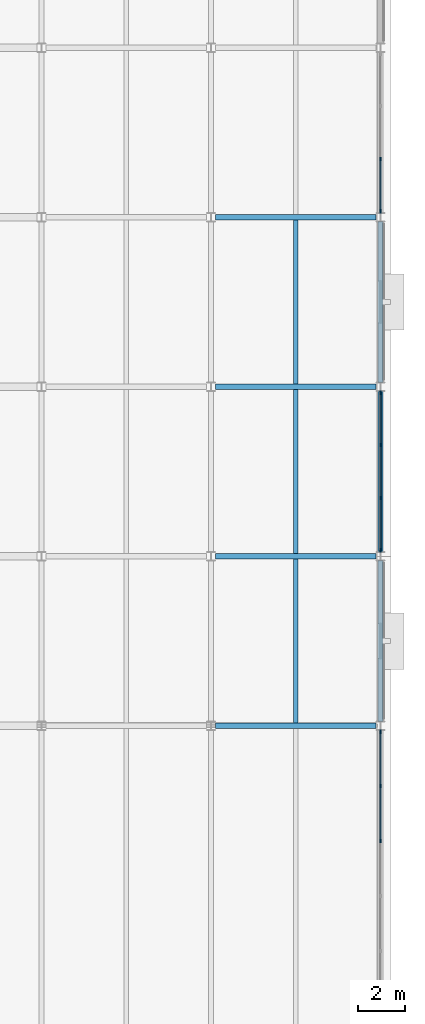
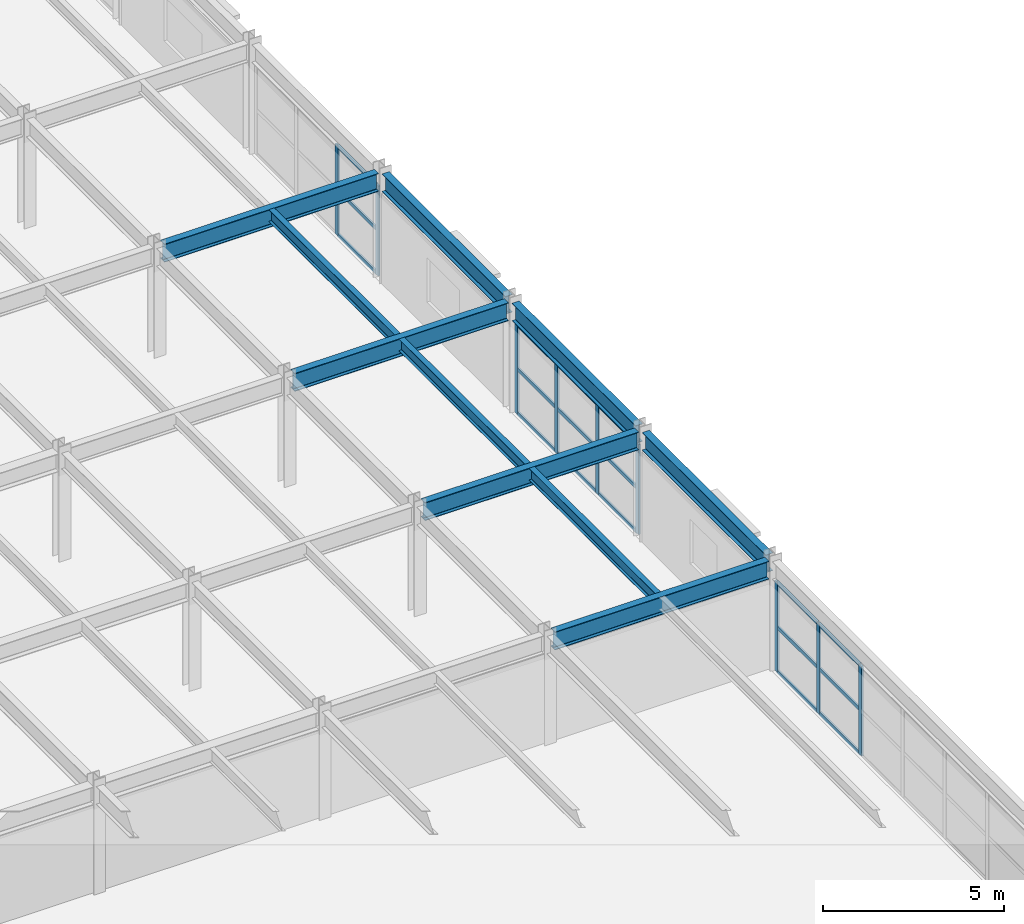
# One storey, part 48 of 93: 27 members, 10 beams, 3 elements without a shape of their own.
"""IFC4 building model written with IfcOpenShell, lengths in metres."""

import ifcopenshell
import ifcopenshell.guid

model = None  # the IFC model being written
_history = None  # IfcOwnerHistory: only IFC2X3 demands one
_inside = {}  # id of a spatial element -> (the spatial element, [elements in it])
_under = {}  # id of a project, library or spatial element -> (it, [spatial elements below it])
_declared = {}  # id of a project -> (the project, [libraries it declares])
_typed = {}  # id of a type object -> (the type object, [elements of that type])
_made_of = {}  # id of a material, layer set ... -> (it, [elements and type objects made of it])


def new_model(schema):
    """Start an empty IFC model of exactly this schema.

    Asked for "IFC4X3", IfcOpenShell would pick the latest addendum, in which some entities
    have other attributes; the version numbers below select the first issue.
    IFC2X3 requires an IfcOwnerHistory on every rooted entity: one is made here for all.
    """
    global model, _history
    if schema == "IFC4X3":
        model = ifcopenshell.file(schema_version=(4, 3, 0, 0))
    else:
        model = ifcopenshell.file(schema=schema)
    _inside.clear()
    _under.clear()
    _declared.clear()
    _typed.clear()
    _made_of.clear()
    _history = None
    if model.schema == "IFC2X3":
        org = make("IfcOrganization", Name="unknown")
        user = make(
            "IfcPersonAndOrganization",
            ThePerson=make("IfcPerson", FamilyName="unknown"),
            TheOrganization=org,
        )
        app = make(
            "IfcApplication",
            ApplicationDeveloper=org,
            Version="unknown",
            ApplicationFullName="unknown",
            ApplicationIdentifier="unknown",
        )
        _history = make(
            "IfcOwnerHistory",
            OwningUser=user,
            OwningApplication=app,
            ChangeAction="ADDED",
            CreationDate=0,
        )
    return model


def make(cls, **values):
    """One entity of the class cls with the attributes given. An attribute that is None is left unset."""
    return model.create_entity(
        cls, **{name: value for name, value in values.items() if value is not None}
    )


def rooted(cls, **values):
    """An entity with a GlobalId (a new one), such as an element, a storey or a relation."""
    return make(cls, GlobalId=ifcopenshell.guid.new(), OwnerHistory=_history, **values)


def si_unit(unit_type, name, prefix=None):
    """IfcSIUnit, for example si_unit("LENGTHUNIT", "METRE", prefix="MILLI")."""
    return make("IfcSIUnit", UnitType=unit_type, Prefix=prefix, Name=name)


def assignment(units):
    """IfcUnitAssignment: the units of a project."""
    return None if units is None else make("IfcUnitAssignment", Units=units)


def point(xyz):
    """IfcCartesianPoint."""
    return None if xyz is None else make("IfcCartesianPoint", Coordinates=xyz)


def direction(xyz):
    """IfcDirection."""
    return None if xyz is None else make("IfcDirection", DirectionRatios=xyz)


def frame(location, z_axis=None, x_axis=None):
    """IfcAxis2Placement3D, a coordinate frame: its origin and axes. An axis left out is left unset."""
    return make(
        "IfcAxis2Placement3D",
        Location=point(location),
        Axis=direction(z_axis),
        RefDirection=direction(x_axis),
    )


def frame_2d(location, x_axis=None):
    """IfcAxis2Placement2D, a coordinate frame in the plane: its origin and x axis."""
    return make(
        "IfcAxis2Placement2D", Location=point(location), RefDirection=direction(x_axis)
    )


def origin():
    """The frame at (0, 0, 0) with its axes left unset."""
    return frame((0.0, 0.0, 0.0))


def origin_2d():
    """The frame at (0, 0) in the plane with its x axis left unset."""
    return frame_2d((0.0, 0.0))


def place(relative_to, where):
    """IfcLocalPlacement: puts the frame where relative to a parent placement (None: the world)."""
    return make(
        "IfcLocalPlacement", PlacementRelTo=relative_to, RelativePlacement=where
    )


def context(
    kind, dimensions, precision=None, world=None, true_north=None, identifier=None
):
    """IfcGeometricRepresentationContext, for example the 3D "Model" context."""
    return make(
        "IfcGeometricRepresentationContext",
        ContextIdentifier=identifier,
        ContextType=kind,
        CoordinateSpaceDimension=dimensions,
        Precision=precision,
        WorldCoordinateSystem=world,
        TrueNorth=true_north,
    )


def subcontext(parent, identifier, kind, view, scale=None):
    """IfcGeometricRepresentationSubContext, for example "Body" below "Model"."""
    return make(
        "IfcGeometricRepresentationSubContext",
        ContextIdentifier=identifier,
        ContextType=kind,
        ParentContext=parent,
        TargetScale=scale,
        TargetView=view,
    )


def project(units=None, contexts=None):
    """IfcProject with its units and contexts."""
    return rooted(
        "IfcProject",
        Name="project",
        RepresentationContexts=contexts,
        UnitsInContext=assignment(units),
    )


def spatial(cls, under=None, at=None, **own):
    """A site, building, storey or space (cls), placed at a placement, below another one or the project."""
    s = rooted(cls, ObjectPlacement=at, **own)
    if under is not None:
        _under.setdefault(under.id(), (under, []))[1].append(s)
    return s


def profile(cls, at=None, kind="AREA", **sizes):
    """A parametric profile (cls). Its sizes go by their IFC names, for example OverallWidth=200.0."""
    return make(cls, ProfileType=kind, Position=at, **sizes)


def rectangle(**sizes):
    """IfcRectangleProfileDef."""
    return profile("IfcRectangleProfileDef", **sizes)


def i_section(**sizes):
    """IfcIShapeProfileDef."""
    return profile("IfcIShapeProfileDef", **sizes)


def extrude(swept, where, along, depth):
    """IfcExtrudedAreaSolid: the profile swept, set in the frame where, extruded along a direction by depth."""
    return make(
        "IfcExtrudedAreaSolid",
        SweptArea=swept,
        Position=where,
        ExtrudedDirection=direction(along),
        Depth=depth,
    )


def shape(context_of_items, identifier, shape_type, items):
    """IfcShapeRepresentation: the items that make up one representation, for example the "Body"."""
    return make(
        "IfcShapeRepresentation",
        ContextOfItems=context_of_items,
        RepresentationIdentifier=identifier,
        RepresentationType=shape_type,
        Items=items,
    )


def material(Name=None, Category=None):
    """IfcMaterial."""
    return make("IfcMaterial", Name=Name, Category=Category)


def material_profile(
    of_material, cross_section, Name=None, Category=None, Priority=None
):
    """IfcMaterialProfile: a cross section and its material."""
    return make(
        "IfcMaterialProfile",
        Name=Name,
        Material=of_material,
        Profile=cross_section,
        Priority=Priority,
        Category=Category,
    )


def profile_set(profiles, Name=None, composite=None):
    """IfcMaterialProfileSet."""
    return make(
        "IfcMaterialProfileSet",
        Name=Name,
        MaterialProfiles=profiles,
        CompositeProfile=composite,
    )


def made_of(thing, what):
    """Note that an element or type object is made of a material, layer set ...; save() writes the relation."""
    if what is not None:
        _made_of.setdefault(what.id(), (what, []))[1].append(thing)
    return thing


def type_object(cls, material=None, **own):
    """A type object (cls), such as IfcWallType, which elements share."""
    return made_of(rooted(cls, **own), material)


def element(
    cls,
    number,
    at=None,
    inside=None,
    cuts=None,
    type_object=None,
    material=None,
    context=None,
    identifier="Body",
    shape_type=None,
    held_by="IfcProductDefinitionShape",
    body=None,
    shapes=None,
    **own,
):
    """One element of the class cls, such as IfcWall. Its Tag is "e" and its number.

    at: its placement. inside: the storey or other place that contains it. cuts: it is an
    opening in that element (IfcRelVoidsElement). A single representation is given by context,
    identifier, shape_type and body (its items); several are given by shapes. held_by: the class
    of the entity that holds the representations. save() writes the other relations.
    """
    e = rooted(cls, Tag="e%d" % number, ObjectPlacement=at, **own)
    if body is not None:
        shapes = [shape(context, identifier, shape_type, body)]
    if shapes is not None:
        e.Representation = make(held_by, Representations=shapes)
    if inside is not None:
        _inside.setdefault(inside.id(), (inside, []))[1].append(e)
    if cuts is not None:
        rooted(
            "IfcRelVoidsElement", RelatingBuildingElement=cuts, RelatedOpeningElement=e
        )
    if type_object is not None:
        _typed.setdefault(type_object.id(), (type_object, []))[1].append(e)
    return made_of(e, material)


def aggregate(whole, parts):
    """IfcRelAggregates: a whole, such as a stair, and the parts it consists of."""
    return rooted("IfcRelAggregates", RelatingObject=whole, RelatedObjects=parts)


def save(model, path):
    """Write the relations noted so far, then the file.

    IfcRelAggregates (storeys below a building ...), IfcRelContainedInSpatialStructure (elements
    in a storey), IfcRelDefinesByType, IfcRelAssociatesMaterial and IfcRelDeclares: one each for
    every whole, place, type object, material and project.
    """
    for whole, parts in _under.values():
        aggregate(whole, parts)
    for where, things in _inside.values():
        rooted(
            "IfcRelContainedInSpatialStructure",
            RelatedElements=things,
            RelatingStructure=where,
        )
    for kind, things in _typed.values():
        rooted("IfcRelDefinesByType", RelatedObjects=things, RelatingType=kind)
    for what, things in _made_of.values():
        rooted("IfcRelAssociatesMaterial", RelatedObjects=things, RelatingMaterial=what)
    for by, libraries in _declared.values():
        rooted("IfcRelDeclares", RelatingContext=by, RelatedDefinitions=libraries)
    model.write(path)


model = new_model("IFC4")

# Units and contexts
model_context = context("Model", 3, precision=1e-05, world=origin(), true_north=direction((0.0, 1.0)))
body_context = subcontext(model_context, "Body", "Model", "MODEL_VIEW")
ifc_project = project(units=[si_unit("LENGTHUNIT", "METRE"), si_unit("AREAUNIT", "SQUARE_METRE"), si_unit("VOLUMEUNIT", "CUBIC_METRE"), si_unit("PLANEANGLEUNIT", "RADIAN"), si_unit("MASSUNIT", "GRAM", prefix="KILO")], contexts=[model_context])

# Site, building, storey
site_placement = place(None, origin())
site = spatial("IfcSite", under=ifc_project, at=site_placement, CompositionType="ELEMENT")
building_placement = place(site_placement, origin())
building = spatial("IfcBuilding", under=site, at=building_placement, Name="Vaelcorin Mobility Hub", CompositionType="ELEMENT")
storey_placement = place(building_placement, frame((0.0, 0.0, 5.39990234375)))
storey = spatial("IfcBuildingStorey", under=building, at=storey_placement, Name="L01", CompositionType="ELEMENT", Elevation=5.39990234375)

# Beams
ifc_material_1 = material(Name="Steel ASTM A992 Grade 50", Category="steel")
ifc_material_profile_1 = material_profile(ifc_material_1, i_section(OverallWidth=0.177978515625, OverallDepth=0.404052734375, WebThickness=0.007568359375, FlangeThickness=0.010986328125, FilletRadius=0.012939453125, at=origin_2d()), Name="W16X36")
ifc_profile_set_1 = profile_set([ifc_material_profile_1], Name="Steel ASTM A992 Grade 50")
beam_type_1 = type_object("IfcBeamType", Name="BM-W16X36", PredefinedType="JOIST", material=ifc_profile_set_1)
for number, where, z_axis, x_axis, name in (
    (1, (200.39990234375, 76.912109375, 3.498046875), (0.0, 1.0, 0.0), (-1.0, 0.0, 0.0), "L01 Beam V5E-L01-J-02-09-1"),
    (2, (200.39990234375, 84.112060546875, 3.498046875), (0.0, 1.0, 0.0), (-1.0, 0.0, 0.0), "L01 Beam V5E-L01-J-02-10-1"),
):
    element("IfcBeam", number, at=place(storey_placement, frame(where, z_axis=z_axis, x_axis=x_axis)), inside=storey, type_object=beam_type_1, Name=name, PredefinedType="JOIST", context=body_context, shape_type="SweptSolid", body=[
        extrude(i_section(OverallWidth=0.177978515625, OverallDepth=0.404052734375, WebThickness=0.007568359375, FlangeThickness=0.010986328125, FilletRadius=0.012939453125, at=origin_2d()), origin(), (0.0, 0.0, 1.0), 6.975830078125),
    ])
beam_placement = place(storey_placement, frame((200.39990234375, 91.31201171875, 3.498046875), z_axis=(0.0, 1.0, 0.0), x_axis=(-1.0, 0.0, 0.0)))
element("IfcBeam", 3, at=beam_placement, inside=storey, type_object=beam_type_1, Name="L01 Beam V5E-L01-J-02-11-1", PredefinedType="JOIST", context=body_context, shape_type="SweptSolid", body=[
    extrude(i_section(OverallWidth=0.177978515625, OverallDepth=0.404052734375, WebThickness=0.007568359375, FlangeThickness=0.010986328125, FilletRadius=0.012939453125, at=origin_2d()), origin(), (0.0, 0.0, 1.0), 6.97607421875),
])
ifc_material_profile_2 = material_profile(ifc_material_1, i_section(OverallWidth=0.22802734375, OverallDepth=0.60205078125, WebThickness=0.010498046875, FlangeThickness=0.014892578125, FilletRadius=0.014892578125, at=origin_2d()), Name="W24X68")
ifc_profile_set_2 = profile_set([ifc_material_profile_2], Name="Steel ASTM A992 Grade 50")
beam_type_2 = type_object("IfcBeamType", Name="BM-W24X68", PredefinedType="SPANDREL", material=ifc_profile_set_2)
for number, where, z_axis, x_axis, name in (
    (4, (204.0, 76.98388671875, 3.399169921875), (0.0, 1.0, 0.0), (-1.0, 0.0, 0.0), "L01 Beam V5E-L01-GY-03-09"),
    (5, (204.0, 84.18408203125, 3.399169921875), (0.0, 1.0, 0.0), (-1.0, 0.0, 0.0), "L01 Beam V5E-L01-GY-03-10"),
    (6, (204.0, 91.384033203125, 3.399169921875), (0.0, 1.0, 0.0), (-1.0, 0.0, 0.0), "L01 Beam V5E-L01-GY-03-11"),
):
    element("IfcBeam", number, at=place(storey_placement, frame(where, z_axis=z_axis, x_axis=x_axis)), inside=storey, type_object=beam_type_2, Name=name, PredefinedType="SPANDREL", context=body_context, shape_type="SweptSolid", body=[
        extrude(i_section(OverallWidth=0.22802734375, OverallDepth=0.60205078125, WebThickness=0.010498046875, FlangeThickness=0.014892578125, FilletRadius=0.014892578125, at=origin_2d()), origin(), (0.0, 0.0, 1.0), 6.83203125),
    ])
ifc_material_profile_3 = material_profile(ifc_material_1, i_section(OverallWidth=0.22900390625, OverallDepth=0.612060546875, WebThickness=0.011962890625, FlangeThickness=0.01953125, FilletRadius=0.014892578125, at=origin_2d()), Name="W24X84")
ifc_profile_set_3 = profile_set([ifc_material_profile_3], Name="Steel ASTM A992 Grade 50")
beam_type_3 = type_object("IfcBeamType", Name="BM-W24X84", PredefinedType="BEAM", material=ifc_profile_set_3)
for number, where, z_axis, x_axis, name in (
    (7, (196.985107421875, 76.800048828125, 3.39404296875), (1.0, 0.0, 0.0), (0.0, 1.0, 0.0), "L01 Beam V5E-L01-GX-09-02"),
    (8, (196.985107421875, 84.0, 3.39404296875), (1.0, 0.0, 0.0), (0.0, 1.0, 0.0), "L01 Beam V5E-L01-GX-10-02"),
    (9, (196.985107421875, 91.199951171875, 3.39404296875), (1.0, 0.0, 0.0), (0.0, 1.0, 0.0), "L01 Beam V5E-L01-GX-11-02"),
    (10, (196.985107421875, 98.39990234375, 3.39404296875), (1.0, 0.0, 0.0), (0.0, 1.0, 0.0), "L01 Beam V5E-L01-GX-12-02"),
):
    element("IfcBeam", number, at=place(storey_placement, frame(where, z_axis=z_axis, x_axis=x_axis)), inside=storey, type_object=beam_type_3, Name=name, PredefinedType="BEAM", context=body_context, shape_type="SweptSolid", body=[
        extrude(i_section(OverallWidth=0.22900390625, OverallDepth=0.612060546875, WebThickness=0.011962890625, FlangeThickness=0.01953125, FilletRadius=0.014892578125, at=origin_2d()), origin(), (0.0, 0.0, 1.0), 6.830810546875),
    ])

# Curtain wall, members
ifc_material_2 = material(Name="Anodised aluminium 6063-T6", Category="aluminium")
curtain_wall_type = type_object("IfcCurtainWallType", Name="CW-MOB-A", PredefinedType="NOTDEFINED", material=ifc_material_2)
curtain_wall_1_placement = place(storey_placement, origin())
curtain_wall_1 = element("IfcCurtainWall", 11, at=curtain_wall_1_placement, inside=storey, type_object=curtain_wall_type, Name="L01 Curtain Wall CW-V5-L01-E-08", PredefinedType="NOTDEFINED")
ifc_material_profile_4 = material_profile(ifc_material_2, rectangle(XDim=0.06005859375, YDim=0.159912109375, at=origin_2d()), Name="ALU-M60X160")
ifc_profile_set_4 = profile_set([ifc_material_profile_4], Name="Anodised aluminium 6063-T6")
member_type_1 = type_object("IfcMemberType", Name="CW-MULL-160", PredefinedType="MULLION", material=ifc_profile_set_4)
member_1_placement = place(storey_placement, frame((204.0, 76.550048828125, 0.0), z_axis=(0.0, 0.0, 1.0), x_axis=(1.0, 0.0, 0.0)))
member_1 = element("IfcMember", 12, at=member_1_placement, type_object=member_type_1, Name="CW7 mullion 1", PredefinedType="MULLION", context=body_context, shape_type="SweptSolid", body=[
    extrude(rectangle(XDim=0.06005859375, YDim=0.159912109375, at=origin_2d()), origin(), (0.0, 0.0, 1.0), 3.043212890625),
])
member_2_placement = place(storey_placement, frame((204.0, 74.242919921875, 0.0), z_axis=(0.0, 0.0, 1.0), x_axis=(1.0, 0.0, 0.0)))
member_2 = element("IfcMember", 13, at=member_2_placement, type_object=member_type_1, Name="CW7 mullion 2", PredefinedType="MULLION", context=body_context, shape_type="SweptSolid", body=[
    extrude(rectangle(XDim=0.06005859375, YDim=0.159912109375, at=origin_2d()), origin(), (0.0, 0.0, 1.0), 3.043212890625),
])
member_3_placement = place(storey_placement, frame((204.0, 71.90576171875, 0.0), z_axis=(0.0, 0.0, 1.0), x_axis=(1.0, 0.0, 0.0)))
member_3 = element("IfcMember", 14, at=member_3_placement, type_object=member_type_1, Name="CW7 mullion 3", PredefinedType="MULLION", context=body_context, shape_type="SweptSolid", body=[
    extrude(rectangle(XDim=0.06005859375, YDim=0.159912109375, at=origin_2d()), origin(), (0.0, 0.0, 1.0), 3.043212890625),
])

curtain_wall_2_placement = place(storey_placement, origin())
curtain_wall_2 = element("IfcCurtainWall", 15, at=curtain_wall_2_placement, inside=storey, type_object=curtain_wall_type, Name="L01 Curtain Wall CW-V5-L01-E-10", PredefinedType="NOTDEFINED")
member_4_placement = place(storey_placement, frame((204.0, 90.949951171875, 0.0), z_axis=(0.0, 0.0, 1.0), x_axis=(1.0, 0.0, 0.0)))
member_4 = element("IfcMember", 16, at=member_4_placement, type_object=member_type_1, Name="CW7 mullion 1", PredefinedType="MULLION", context=body_context, shape_type="SweptSolid", body=[
    extrude(rectangle(XDim=0.06005859375, YDim=0.159912109375, at=origin_2d()), origin(), (0.0, 0.0, 1.0), 3.043212890625),
])
member_5_placement = place(storey_placement, frame((204.0, 88.7265625, 0.0), z_axis=(0.0, 0.0, 1.0), x_axis=(1.0, 0.0, 0.0)))
member_5 = element("IfcMember", 17, at=member_5_placement, type_object=member_type_1, Name="CW7 mullion 2", PredefinedType="MULLION", context=body_context, shape_type="SweptSolid", body=[
    extrude(rectangle(XDim=0.06005859375, YDim=0.159912109375, at=origin_2d()), origin(), (0.0, 0.0, 1.0), 3.043212890625),
])
member_6_placement = place(storey_placement, frame((204.0, 86.473388671875, 0.0), z_axis=(0.0, 0.0, 1.0), x_axis=(1.0, 0.0, 0.0)))
member_6 = element("IfcMember", 18, at=member_6_placement, type_object=member_type_1, Name="CW7 mullion 3", PredefinedType="MULLION", context=body_context, shape_type="SweptSolid", body=[
    extrude(rectangle(XDim=0.06005859375, YDim=0.159912109375, at=origin_2d()), origin(), (0.0, 0.0, 1.0), 3.043212890625),
])
member_7_placement = place(storey_placement, frame((204.0, 84.25, 0.0), z_axis=(0.0, 0.0, 1.0), x_axis=(1.0, 0.0, 0.0)))
member_7 = element("IfcMember", 19, at=member_7_placement, type_object=member_type_1, Name="CW7 mullion 4", PredefinedType="MULLION", context=body_context, shape_type="SweptSolid", body=[
    extrude(rectangle(XDim=0.06005859375, YDim=0.159912109375, at=origin_2d()), origin(), (0.0, 0.0, 1.0), 3.043212890625),
])

curtain_wall_3_placement = place(storey_placement, origin())
curtain_wall_3 = element("IfcCurtainWall", 20, at=curtain_wall_3_placement, inside=storey, type_object=curtain_wall_type, Name="L01 Curtain Wall CW-V5-L01-E-12", PredefinedType="NOTDEFINED")
member_8_placement = place(storey_placement, frame((204.0, 100.873291015625, 0.0), z_axis=(0.0, 0.0, 1.0), x_axis=(1.0, 0.0, 0.0)))
member_8 = element("IfcMember", 21, at=member_8_placement, type_object=member_type_1, Name="CW7 mullion 3", PredefinedType="MULLION", context=body_context, shape_type="SweptSolid", body=[
    extrude(rectangle(XDim=0.06005859375, YDim=0.159912109375, at=origin_2d()), origin(), (0.0, 0.0, 1.0), 3.043212890625),
])
member_9_placement = place(storey_placement, frame((204.0, 98.64990234375, 0.0), z_axis=(0.0, 0.0, 1.0), x_axis=(1.0, 0.0, 0.0)))
member_9 = element("IfcMember", 22, at=member_9_placement, type_object=member_type_1, Name="CW7 mullion 4", PredefinedType="MULLION", context=body_context, shape_type="SweptSolid", body=[
    extrude(rectangle(XDim=0.06005859375, YDim=0.159912109375, at=origin_2d()), origin(), (0.0, 0.0, 1.0), 3.043212890625),
])

# Member
ifc_material_profile_5 = material_profile(ifc_material_2, rectangle(XDim=0.06005859375, YDim=0.1201171875, at=origin_2d()), Name="ALU-T60X120")
ifc_profile_set_5 = profile_set([ifc_material_profile_5], Name="Anodised aluminium 6063-T6")
member_type_2 = type_object("IfcMemberType", Name="CW-TRAN-140", PredefinedType="USERDEFINED", material=ifc_profile_set_5)
member_10_placement = place(storey_placement, frame((204.0, 76.52001953125, 0.030029296875), z_axis=(0.0, -1.0, 0.0), x_axis=(1.0, 0.0, 0.0)))
member_10 = element("IfcMember", 23, at=member_10_placement, type_object=member_type_2, Name="CW7 transom 1.1", ObjectType="TRANSOM", PredefinedType="USERDEFINED", context=body_context, shape_type="SweptSolid", body=[
    extrude(rectangle(XDim=0.06005859375, YDim=0.1201171875, at=origin_2d()), origin(), (0.0, 0.0, 1.0), 2.2470703125),
])

member_11_placement = place(storey_placement, frame((204.0, 76.52001953125, 1.522216796875), z_axis=(0.0, -1.0, 0.0), x_axis=(1.0, 0.0, 0.0)))
member_11 = element("IfcMember", 24, at=member_11_placement, type_object=member_type_2, Name="CW7 transom 1.2", ObjectType="TRANSOM", PredefinedType="USERDEFINED", context=body_context, shape_type="SweptSolid", body=[
    extrude(rectangle(XDim=0.06005859375, YDim=0.1201171875, at=origin_2d()), origin(), (0.0, 0.0, 1.0), 2.2470703125),
])

member_12_placement = place(storey_placement, frame((204.0, 76.52001953125, 3.01318359375), z_axis=(0.0, -1.0, 0.0), x_axis=(1.0, 0.0, 0.0)))
member_12 = element("IfcMember", 25, at=member_12_placement, type_object=member_type_2, Name="CW7 transom 1.3", ObjectType="TRANSOM", PredefinedType="USERDEFINED", context=body_context, shape_type="SweptSolid", body=[
    extrude(rectangle(XDim=0.06005859375, YDim=0.1201171875, at=origin_2d()), origin(), (0.0, 0.0, 1.0), 2.2470703125),
])

member_13_placement = place(storey_placement, frame((204.0, 74.212890625, 0.030029296875), z_axis=(0.0, -1.0, 0.0), x_axis=(1.0, 0.0, 0.0)))
member_13 = element("IfcMember", 26, at=member_13_placement, type_object=member_type_2, Name="CW7 transom 2.1", ObjectType="TRANSOM", PredefinedType="USERDEFINED", context=body_context, shape_type="SweptSolid", body=[
    extrude(rectangle(XDim=0.06005859375, YDim=0.1201171875, at=origin_2d()), origin(), (0.0, 0.0, 1.0), 2.277099609375),
])

member_14_placement = place(storey_placement, frame((204.0, 74.212890625, 1.522216796875), z_axis=(0.0, -1.0, 0.0), x_axis=(1.0, 0.0, 0.0)))
member_14 = element("IfcMember", 27, at=member_14_placement, type_object=member_type_2, Name="CW7 transom 2.2", ObjectType="TRANSOM", PredefinedType="USERDEFINED", context=body_context, shape_type="SweptSolid", body=[
    extrude(rectangle(XDim=0.06005859375, YDim=0.1201171875, at=origin_2d()), origin(), (0.0, 0.0, 1.0), 2.277099609375),
])

member_15_placement = place(storey_placement, frame((204.0, 74.212890625, 3.01318359375), z_axis=(0.0, -1.0, 0.0), x_axis=(1.0, 0.0, 0.0)))
member_15 = element("IfcMember", 28, at=member_15_placement, type_object=member_type_2, Name="CW7 transom 2.3", ObjectType="TRANSOM", PredefinedType="USERDEFINED", context=body_context, shape_type="SweptSolid", body=[
    extrude(rectangle(XDim=0.06005859375, YDim=0.1201171875, at=origin_2d()), origin(), (0.0, 0.0, 1.0), 2.277099609375),
])

aggregate(curtain_wall_1, [member_1, member_2, member_3, member_10, member_11, member_12, member_13, member_14, member_15])

member_16_placement = place(storey_placement, frame((204.0, 90.919921875, 0.030029296875), z_axis=(0.0, -1.0, 0.0), x_axis=(1.0, 0.0, 0.0)))
member_16 = element("IfcMember", 29, at=member_16_placement, type_object=member_type_2, Name="CW7 transom 1.1", ObjectType="TRANSOM", PredefinedType="USERDEFINED", context=body_context, shape_type="SweptSolid", body=[
    extrude(rectangle(XDim=0.06005859375, YDim=0.1201171875, at=origin_2d()), origin(), (0.0, 0.0, 1.0), 2.163330078125),
])

member_17_placement = place(storey_placement, frame((204.0, 90.919921875, 1.522216796875), z_axis=(0.0, -1.0, 0.0), x_axis=(1.0, 0.0, 0.0)))
member_17 = element("IfcMember", 30, at=member_17_placement, type_object=member_type_2, Name="CW7 transom 1.2", ObjectType="TRANSOM", PredefinedType="USERDEFINED", context=body_context, shape_type="SweptSolid", body=[
    extrude(rectangle(XDim=0.06005859375, YDim=0.1201171875, at=origin_2d()), origin(), (0.0, 0.0, 1.0), 2.163330078125),
])

member_18_placement = place(storey_placement, frame((204.0, 90.919921875, 3.01318359375), z_axis=(0.0, -1.0, 0.0), x_axis=(1.0, 0.0, 0.0)))
member_18 = element("IfcMember", 31, at=member_18_placement, type_object=member_type_2, Name="CW7 transom 1.3", ObjectType="TRANSOM", PredefinedType="USERDEFINED", context=body_context, shape_type="SweptSolid", body=[
    extrude(rectangle(XDim=0.06005859375, YDim=0.1201171875, at=origin_2d()), origin(), (0.0, 0.0, 1.0), 2.163330078125),
])

member_19_placement = place(storey_placement, frame((204.0, 88.69677734375, 0.030029296875), z_axis=(0.0, -1.0, 0.0), x_axis=(1.0, 0.0, 0.0)))
member_19 = element("IfcMember", 32, at=member_19_placement, type_object=member_type_2, Name="CW7 transom 2.1", ObjectType="TRANSOM", PredefinedType="USERDEFINED", context=body_context, shape_type="SweptSolid", body=[
    extrude(rectangle(XDim=0.06005859375, YDim=0.1201171875, at=origin_2d()), origin(), (0.0, 0.0, 1.0), 2.193359375),
])

member_20_placement = place(storey_placement, frame((204.0, 88.69677734375, 1.522216796875), z_axis=(0.0, -1.0, 0.0), x_axis=(1.0, 0.0, 0.0)))
member_20 = element("IfcMember", 33, at=member_20_placement, type_object=member_type_2, Name="CW7 transom 2.2", ObjectType="TRANSOM", PredefinedType="USERDEFINED", context=body_context, shape_type="SweptSolid", body=[
    extrude(rectangle(XDim=0.06005859375, YDim=0.1201171875, at=origin_2d()), origin(), (0.0, 0.0, 1.0), 2.193359375),
])

member_21_placement = place(storey_placement, frame((204.0, 88.69677734375, 3.01318359375), z_axis=(0.0, -1.0, 0.0), x_axis=(1.0, 0.0, 0.0)))
member_21 = element("IfcMember", 34, at=member_21_placement, type_object=member_type_2, Name="CW7 transom 2.3", ObjectType="TRANSOM", PredefinedType="USERDEFINED", context=body_context, shape_type="SweptSolid", body=[
    extrude(rectangle(XDim=0.06005859375, YDim=0.1201171875, at=origin_2d()), origin(), (0.0, 0.0, 1.0), 2.193359375),
])

member_22_placement = place(storey_placement, frame((204.0, 86.443359375, 0.030029296875), z_axis=(0.0, -1.0, 0.0), x_axis=(1.0, 0.0, 0.0)))
member_22 = element("IfcMember", 35, at=member_22_placement, type_object=member_type_2, Name="CW7 transom 3.1", ObjectType="TRANSOM", PredefinedType="USERDEFINED", context=body_context, shape_type="SweptSolid", body=[
    extrude(rectangle(XDim=0.06005859375, YDim=0.1201171875, at=origin_2d()), origin(), (0.0, 0.0, 1.0), 2.163330078125),
])

member_23_placement = place(storey_placement, frame((204.0, 86.443359375, 1.522216796875), z_axis=(0.0, -1.0, 0.0), x_axis=(1.0, 0.0, 0.0)))
member_23 = element("IfcMember", 36, at=member_23_placement, type_object=member_type_2, Name="CW7 transom 3.2", ObjectType="TRANSOM", PredefinedType="USERDEFINED", context=body_context, shape_type="SweptSolid", body=[
    extrude(rectangle(XDim=0.06005859375, YDim=0.1201171875, at=origin_2d()), origin(), (0.0, 0.0, 1.0), 2.163330078125),
])

member_24_placement = place(storey_placement, frame((204.0, 86.443359375, 3.01318359375), z_axis=(0.0, -1.0, 0.0), x_axis=(1.0, 0.0, 0.0)))
member_24 = element("IfcMember", 37, at=member_24_placement, type_object=member_type_2, Name="CW7 transom 3.3", ObjectType="TRANSOM", PredefinedType="USERDEFINED", context=body_context, shape_type="SweptSolid", body=[
    extrude(rectangle(XDim=0.06005859375, YDim=0.1201171875, at=origin_2d()), origin(), (0.0, 0.0, 1.0), 2.163330078125),
])

aggregate(curtain_wall_2, [member_4, member_5, member_6, member_7, member_16, member_17, member_18, member_19, member_20, member_21, member_22, member_23, member_24])

member_25_placement = place(storey_placement, frame((204.0, 100.84326171875, 0.030029296875), z_axis=(0.0, -1.0, 0.0), x_axis=(1.0, 0.0, 0.0)))
member_25 = element("IfcMember", 38, at=member_25_placement, type_object=member_type_2, Name="CW7 transom 3.1", ObjectType="TRANSOM", PredefinedType="USERDEFINED", context=body_context, shape_type="SweptSolid", body=[
    extrude(rectangle(XDim=0.06005859375, YDim=0.1201171875, at=origin_2d()), origin(), (0.0, 0.0, 1.0), 2.163330078125),
])

member_26_placement = place(storey_placement, frame((204.0, 100.84326171875, 1.522216796875), z_axis=(0.0, -1.0, 0.0), x_axis=(1.0, 0.0, 0.0)))
member_26 = element("IfcMember", 39, at=member_26_placement, type_object=member_type_2, Name="CW7 transom 3.2", ObjectType="TRANSOM", PredefinedType="USERDEFINED", context=body_context, shape_type="SweptSolid", body=[
    extrude(rectangle(XDim=0.06005859375, YDim=0.1201171875, at=origin_2d()), origin(), (0.0, 0.0, 1.0), 2.163330078125),
])

member_27_placement = place(storey_placement, frame((204.0, 100.84326171875, 3.01318359375), z_axis=(0.0, -1.0, 0.0), x_axis=(1.0, 0.0, 0.0)))
member_27 = element("IfcMember", 40, at=member_27_placement, type_object=member_type_2, Name="CW7 transom 3.3", ObjectType="TRANSOM", PredefinedType="USERDEFINED", context=body_context, shape_type="SweptSolid", body=[
    extrude(rectangle(XDim=0.06005859375, YDim=0.1201171875, at=origin_2d()), origin(), (0.0, 0.0, 1.0), 2.163330078125),
])

aggregate(curtain_wall_3, [member_8, member_9, member_25, member_26, member_27])

save(model, "model.ifc")
